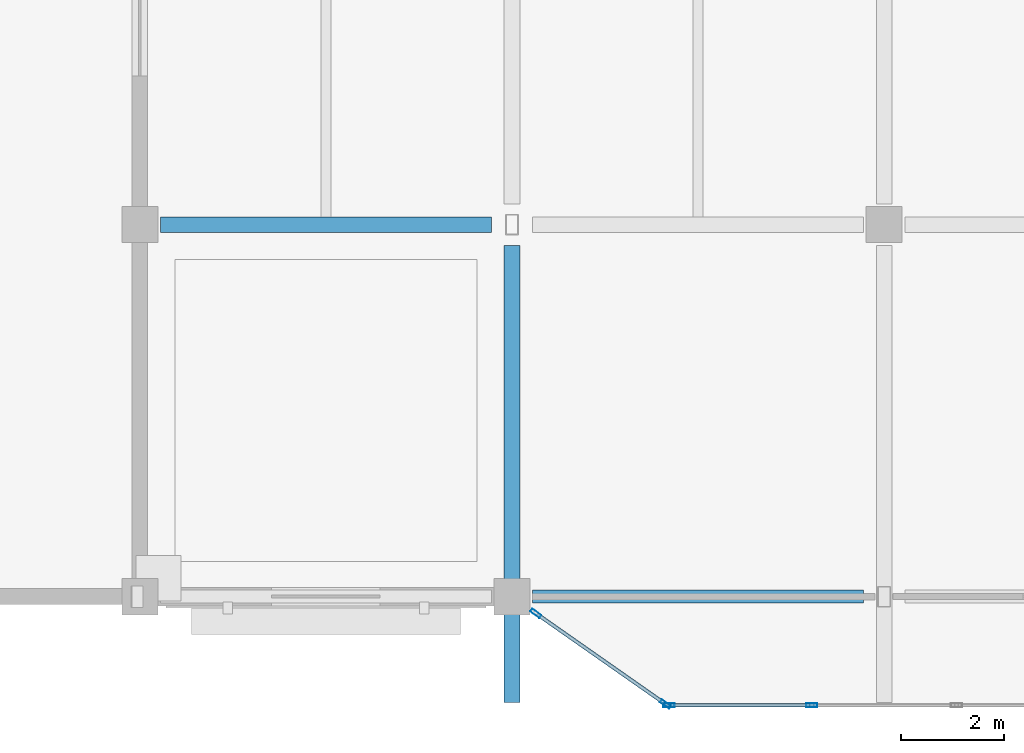
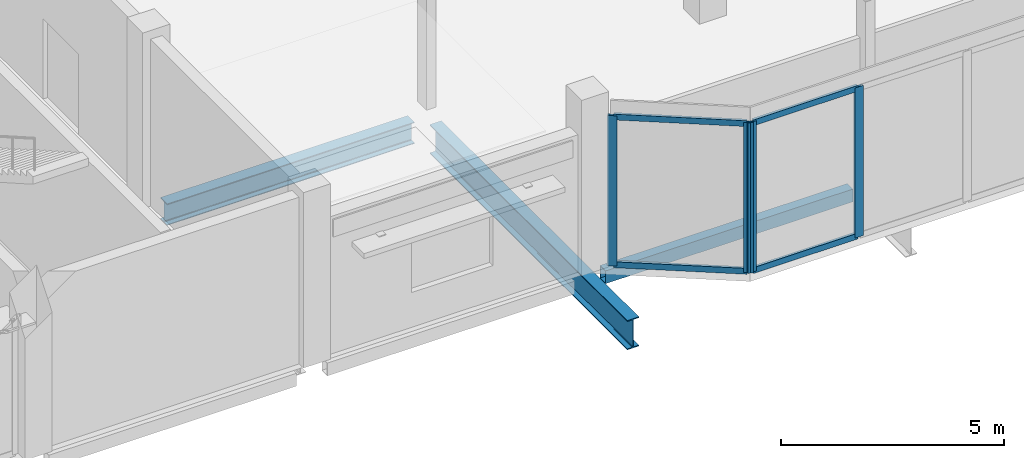
# One storey, part 63 of 120: 8 members, 3 beams, 2 elements without a shape of their own.
"""IFC4 building model written with IfcOpenShell, lengths in metres."""

from ifc_helpers import new_model, si_unit, direction, frame, origin, origin_2d, place, context, subcontext, project, spatial, hollow_rectangle, i_section, extrude, material, material_profile, profile_set, type_object, element, aggregate, save


model = new_model("IFC4")

# Units and contexts
model_context = context("Model", 3, precision=1e-05, world=origin(), true_north=direction((0.0, 1.0)))
body_context = subcontext(model_context, "Body", "Model", "MODEL_VIEW")
ifc_project = project(units=[si_unit("LENGTHUNIT", "METRE"), si_unit("AREAUNIT", "SQUARE_METRE"), si_unit("VOLUMEUNIT", "CUBIC_METRE"), si_unit("PLANEANGLEUNIT", "RADIAN"), si_unit("MASSUNIT", "GRAM", prefix="KILO")], contexts=[model_context])

# Site, building, storey
site_placement = place(None, origin())
site = spatial("IfcSite", under=ifc_project, at=site_placement, CompositionType="ELEMENT")
building_placement = place(site_placement, origin())
building = spatial("IfcBuilding", under=site, at=building_placement, Name="Vesperath Aquatics Centre", CompositionType="ELEMENT")
storey_placement = place(building_placement, frame((0.0, 0.0, 10.199951171875)))
storey = spatial("IfcBuildingStorey", under=building, at=storey_placement, Name="L02", CompositionType="ELEMENT", Elevation=10.199951171875)

# Beams
ifc_material_1 = material(Name="Steel Q355D", Category="steel")
ifc_material_profile_1 = material_profile(ifc_material_1, i_section(OverallWidth=0.300048828125, OverallDepth=0.800048828125, WebThickness=0.013916015625, FlangeThickness=0.02587890625, FilletRadius=0.028076171875, at=origin_2d()), Name="HN 800x300x14x26")
ifc_profile_set_1 = profile_set([ifc_material_profile_1], Name="Steel Q355D")
beam_type_1 = type_object("IfcBeamType", Name="BM-G07", PredefinedType="BEAM", material=ifc_profile_set_1)
beam_1_placement = place(storey_placement, frame((136.800048828125, -2.050048828125, -0.659912109375), z_axis=(0.0, 1.0, 0.0), x_axis=(-1.0, 0.0, 0.0)))
element("IfcBeam", 1, at=beam_1_placement, inside=storey, type_object=beam_type_1, Name="Floor Girder B07 L02 20 A-B", PredefinedType="BEAM", context=body_context, shape_type="SweptSolid", body=[
    extrude(i_section(OverallWidth=0.300048828125, OverallDepth=0.800048828125, WebThickness=0.013916015625, FlangeThickness=0.02587890625, FilletRadius=0.028076171875, at=origin_2d()), origin(), (0.0, 0.0, 1.0), 8.85009765625),
])
ifc_material_2 = material(Name="Steel Q355C", Category="steel")
ifc_material_profile_2 = material_profile(ifc_material_2, i_section(OverallWidth=0.300048828125, OverallDepth=0.587890625, WebThickness=0.011962890625, FlangeThickness=0.02001953125, FilletRadius=0.028076171875, at=origin_2d()), Name="HM 588x300x12x20")
ifc_profile_set_2 = profile_set([ifc_material_profile_2], Name="Steel Q355C")
beam_type_2 = type_object("IfcBeamType", Name="BM-G09", PredefinedType="BEAM", material=ifc_profile_set_2)
beam_2_placement = place(storey_placement, frame((130.0, 7.199951171875, -0.553955078125), z_axis=(1.0, 0.0, 0.0), x_axis=(0.0, 1.0, 0.0)))
element("IfcBeam", 2, at=beam_2_placement, inside=storey, type_object=beam_type_2, Name="Floor Girder B09 L02 B 19-20", PredefinedType="BEAM", context=body_context, shape_type="SweptSolid", body=[
    extrude(i_section(OverallWidth=0.300048828125, OverallDepth=0.587890625, WebThickness=0.011962890625, FlangeThickness=0.02001953125, FilletRadius=0.028076171875, at=origin_2d()), origin(), (0.0, 0.0, 1.0), 6.39990234375),
])
ifc_material_profile_3 = material_profile(ifc_material_1, hollow_rectangle(XDim=0.25, YDim=0.35009765625, WallThickness=0.011962890625, at=origin_2d()), Name="RHS 350x250x12")
ifc_profile_set_3 = profile_set([ifc_material_profile_3], Name="Steel Q355D")
beam_type_3 = type_object("IfcBeamType", Name="BM-SP02", PredefinedType="SPANDREL", material=ifc_profile_set_3)
beam_3_placement = place(storey_placement, frame((137.199951171875, 0.0, -0.43505859375), z_axis=(1.0, 0.0, 0.0), x_axis=(0.0, 1.0, 0.0)))
element("IfcBeam", 3, at=beam_3_placement, inside=storey, type_object=beam_type_3, Name="Floor Girder SP02 L02 A 20-21", PredefinedType="SPANDREL", context=body_context, shape_type="SweptSolid", body=[
    extrude(hollow_rectangle(XDim=0.25, YDim=0.35009765625, WallThickness=0.011962890625, at=origin_2d()), origin(), (0.0, 0.0, 1.0), 6.400146484375),
])

# Curtain wall, members
ifc_material_3 = material(Name="Thermally broken anodised bronze aluminium curtain wall", Category="aluminium")
curtain_wall_type = type_object("IfcCurtainWallType", Name="CW-02", PredefinedType="NOTDEFINED", material=ifc_material_3)
curtain_wall_1_placement = place(storey_placement, origin())
curtain_wall_1 = element("IfcCurtainWall", 4, at=curtain_wall_1_placement, inside=storey, type_object=curtain_wall_type, Name="South Boulevard Bow Oriel Curtain Wall L02-W", PredefinedType="NOTDEFINED")
ifc_material_4 = material(Name="Thermally broken anodised aluminium", Category="aluminium")
ifc_material_profile_4 = material_profile(ifc_material_4, hollow_rectangle(XDim=0.070068359375, YDim=0.219970703125, WallThickness=0.0048828125, at=origin_2d()), Name="CWM 70x220x5")
ifc_profile_set_4 = profile_set([ifc_material_profile_4], Name="Thermally broken anodised aluminium")
member_type_1 = type_object("IfcMemberType", Name="MB-CWM2", PredefinedType="MULLION", material=ifc_profile_set_4)
member_1_placement = place(storey_placement, frame((137.2587890625, -0.321044921875, 0.0), z_axis=(0.0, 0.0, 1.0), x_axis=(0.57346234437, 0.819231920515, 0.0)))
member_1 = element("IfcMember", 5, at=member_1_placement, type_object=member_type_1, Name="CW02 mullion 1", PredefinedType="MULLION", context=body_context, shape_type="SweptSolid", body=[
    extrude(hollow_rectangle(XDim=0.070068359375, YDim=0.219970703125, WallThickness=0.0048828125, at=origin_2d()), origin(), (0.0, 0.0, 1.0), 4.110107421875),
])
member_2_placement = place(storey_placement, frame((139.771240234375, -2.079833984375, 0.0), z_axis=(0.0, 0.0, 1.0), x_axis=(0.57346234437, 0.819231920515, 0.0)))
member_2 = element("IfcMember", 6, at=member_2_placement, type_object=member_type_1, Name="CW02 mullion 2", PredefinedType="MULLION", context=body_context, shape_type="SweptSolid", body=[
    extrude(hollow_rectangle(XDim=0.070068359375, YDim=0.219970703125, WallThickness=0.0048828125, at=origin_2d()), origin(), (0.0, 0.0, 1.0), 4.110107421875),
])

curtain_wall_2_placement = place(storey_placement, origin())
curtain_wall_2 = element("IfcCurtainWall", 7, at=curtain_wall_2_placement, inside=storey, type_object=curtain_wall_type, Name="South Boulevard Bow Oriel Curtain Wall L02-C", PredefinedType="NOTDEFINED")
member_3_placement = place(storey_placement, frame((139.8349609375, -2.10009765625, 0.0), z_axis=(0.0, 0.0, 1.0), x_axis=(0.0, 1.0, 0.0)))
member_3 = element("IfcMember", 8, at=member_3_placement, type_object=member_type_1, Name="CW02 mullion 1", PredefinedType="MULLION", context=body_context, shape_type="SweptSolid", body=[
    extrude(hollow_rectangle(XDim=0.070068359375, YDim=0.219970703125, WallThickness=0.0048828125, at=origin_2d()), origin(), (0.0, 0.0, 1.0), 4.110107421875),
])
member_4_placement = place(storey_placement, frame((142.60009765625, -2.10009765625, 0.0), z_axis=(0.0, 0.0, 1.0), x_axis=(0.0, 1.0, 0.0)))
member_4 = element("IfcMember", 9, at=member_4_placement, type_object=member_type_1, Name="CW02 mullion 2", PredefinedType="MULLION", context=body_context, shape_type="SweptSolid", body=[
    extrude(hollow_rectangle(XDim=0.070068359375, YDim=0.219970703125, WallThickness=0.0048828125, at=origin_2d()), origin(), (0.0, 0.0, 1.0), 4.110107421875),
])

# Member
ifc_material_profile_5 = material_profile(ifc_material_4, hollow_rectangle(XDim=0.070068359375, YDim=0.159912109375, WallThickness=0.0048828125, at=origin_2d()), Name="CWT 70x160x5")
ifc_profile_set_5 = profile_set([ifc_material_profile_5], Name="Thermally broken anodised aluminium")
member_type_2 = type_object("IfcMemberType", Name="MB-CWT2", PredefinedType="USERDEFINED", material=ifc_profile_set_5)
member_5_placement = place(storey_placement, frame((137.287353515625, -0.341064453125, 0.03515625), z_axis=(0.819228093592, -0.573467811364, 0.0), x_axis=(0.573467811364, 0.819228093592, 0.0)))
member_5 = element("IfcMember", 10, at=member_5_placement, type_object=member_type_2, Name="CW02 transom 1.1", ObjectType="TRANSOM", PredefinedType="USERDEFINED", context=body_context, shape_type="SweptSolid", body=[
    extrude(hollow_rectangle(XDim=0.070068359375, YDim=0.159912109375, WallThickness=0.0048828125, at=origin_2d()), origin(), (0.0, 0.0, 1.0), 2.9970703125),
])

member_6_placement = place(storey_placement, frame((137.287353515625, -0.341064453125, 4.074951171875), z_axis=(0.819228093592, -0.573467811364, 0.0), x_axis=(0.573467811364, 0.819228093592, 0.0)))
member_6 = element("IfcMember", 11, at=member_6_placement, type_object=member_type_2, Name="CW02 transom 1.2", ObjectType="TRANSOM", PredefinedType="USERDEFINED", context=body_context, shape_type="SweptSolid", body=[
    extrude(hollow_rectangle(XDim=0.070068359375, YDim=0.159912109375, WallThickness=0.0048828125, at=origin_2d()), origin(), (0.0, 0.0, 1.0), 2.9970703125),
])

aggregate(curtain_wall_1, [member_1, member_2, member_5, member_6])

member_7_placement = place(storey_placement, frame((139.8701171875, -2.10009765625, 0.03515625), z_axis=(1.0, 0.0, 0.0), x_axis=(0.0, 1.0, 0.0)))
member_7 = element("IfcMember", 12, at=member_7_placement, type_object=member_type_2, Name="CW02 transom 1.1", ObjectType="TRANSOM", PredefinedType="USERDEFINED", context=body_context, shape_type="SweptSolid", body=[
    extrude(hollow_rectangle(XDim=0.070068359375, YDim=0.159912109375, WallThickness=0.0048828125, at=origin_2d()), origin(), (0.0, 0.0, 1.0), 2.69482421875),
])

member_8_placement = place(storey_placement, frame((139.8701171875, -2.10009765625, 4.074951171875), z_axis=(1.0, 0.0, 0.0), x_axis=(0.0, 1.0, 0.0)))
member_8 = element("IfcMember", 13, at=member_8_placement, type_object=member_type_2, Name="CW02 transom 1.2", ObjectType="TRANSOM", PredefinedType="USERDEFINED", context=body_context, shape_type="SweptSolid", body=[
    extrude(hollow_rectangle(XDim=0.070068359375, YDim=0.159912109375, WallThickness=0.0048828125, at=origin_2d()), origin(), (0.0, 0.0, 1.0), 2.69482421875),
])

aggregate(curtain_wall_2, [member_3, member_4, member_7, member_8])

save(model, "model.ifc")
